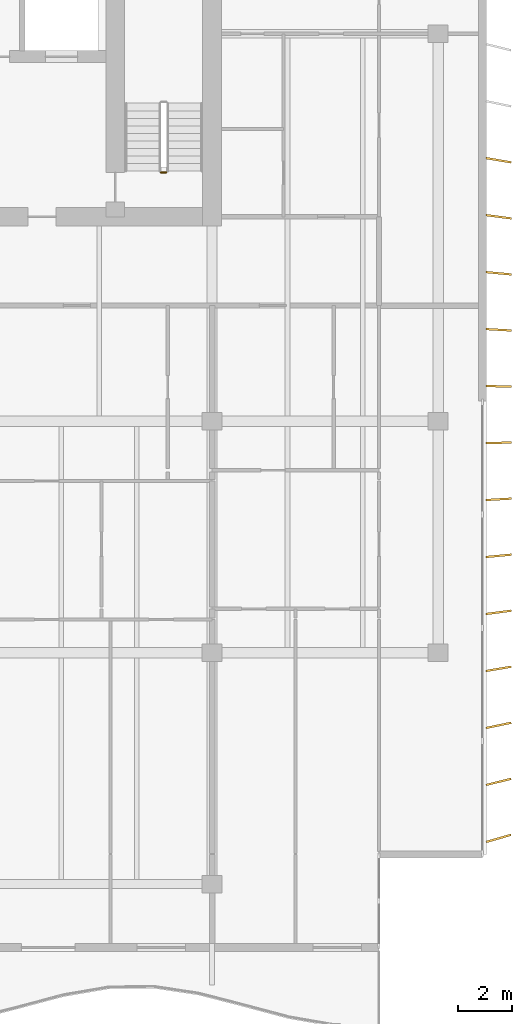
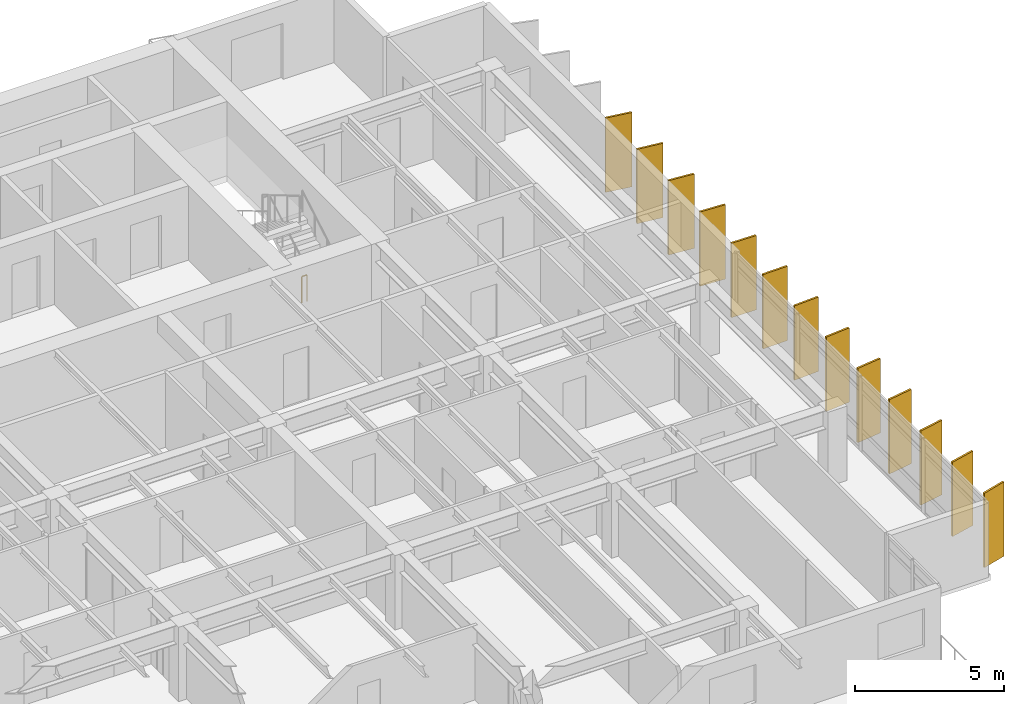
# One storey, part 15 of 17: 13 shading devices, 1 railing.
"""IFC4 building model written with IfcOpenShell, lengths in metres."""

from ifc_helpers import new_model, si_unit, direction, frame, origin, origin_2d, place, context, subcontext, project, spatial, rectangle, circle, extrude, material, material_profile, profile_set, type_object, element, save


model = new_model("IFC4")

# Units and contexts
model_context = context("Model", 3, precision=1e-05, world=origin(), true_north=direction((0.0, 1.0)))
body_context = subcontext(model_context, "Body", "Model", "MODEL_VIEW")
ifc_project = project(units=[si_unit("LENGTHUNIT", "METRE"), si_unit("AREAUNIT", "SQUARE_METRE"), si_unit("VOLUMEUNIT", "CUBIC_METRE"), si_unit("PLANEANGLEUNIT", "RADIAN"), si_unit("MASSUNIT", "GRAM", prefix="KILO")], contexts=[model_context])

# Site, building, storey
site_placement = place(None, origin())
site = spatial("IfcSite", under=ifc_project, at=site_placement, CompositionType="ELEMENT")
building_placement = place(site_placement, origin())
building = spatial("IfcBuilding", under=site, at=building_placement, Name="Caelmar Bay Residences", CompositionType="ELEMENT")
storey_placement = place(building_placement, frame((0.0, 0.0, 243.0)))
storey = spatial("IfcBuildingStorey", under=building, at=storey_placement, Name="L68", CompositionType="ELEMENT", Elevation=243.0)

# Railing
ifc_material_1 = material(Name="Painted galvanized steel stair guard 1100 mm", Category="steel")
railing_type = type_object("IfcRailingType", Name="RL-GRD-1100", PredefinedType="GUARDRAIL", material=ifc_material_1)
railing_placement = place(storey_placement, frame((57.800048828125, 38.64990234375, 0.0)))
element("IfcRailing", 1, at=railing_placement, inside=storey, type_object=railing_type, Name="L68 ST2 stair guard 4", PredefinedType="GUARDRAIL", context=body_context, shape_type="SweptSolid", body=[
    extrude(circle(Radius=0.02392578125, at=origin_2d()), frame((0.0, 0.0, 1.076171875), z_axis=(-1.0, 0.0, 0.0), x_axis=(0.0, -1.0, 0.0)), (0.0, 0.0, 1.0), 0.199951171875),
    extrude(circle(Radius=0.02099609375, at=origin_2d()), origin(), (0.0, 0.0, 1.0), 1.052001953125),
    extrude(circle(Radius=0.02099609375, at=origin_2d()), frame((-0.199951171875, 0.0, 0.0)), (0.0, 0.0, 1.0), 1.052001953125),
])

# Shading devices
ifc_material_2 = material(Name="Anodised architectural bronze aluminium 6063-T6", Category="aluminium")
ifc_material_profile = material_profile(ifc_material_2, rectangle(XDim=0.074951171875, YDim=0.949951171875, at=origin_2d()), Name="BRONZE-FIN-75X950")
ifc_profile_set = profile_set([ifc_material_profile], Name="Anodised architectural bronze aluminium 6063-T6")
shading_device_type = type_object("IfcShadingDeviceType", Name="SHD-FIN-950", PredefinedType="USERDEFINED", material=ifc_profile_set)
for number, where, z_axis, x_axis, name in (
    (2, (70.14990234375, 13.89990234375, 0.0), (0.0, 0.0, 1.0), (-0.275637355817, 0.961261695938, 0.0), "L68 East Bronze Solar Fin 1"),
    (3, (70.14990234375, 16.0, 0.0), (0.0, 0.0, 1.0), (-0.239719743609, 0.970842131618, 0.0), "L68 East Bronze Solar Fin 2"),
    (4, (70.14990234375, 18.10009765625, 0.0), (0.0, 0.0, 1.0), (-0.2032999874, 0.979116497217, 0.0), "L68 East Bronze Solar Fin 3"),
    (5, (70.14990234375, 20.199951171875, 0.0), (0.0, 0.0, 1.0), (-0.166768746716, 0.985996037071, 0.0), "L68 East Bronze Solar Fin 4"),
    (6, (70.14990234375, 22.300048828125, 0.0), (0.0, 0.0, 1.0), (-0.130007055036, 0.99151306882, 0.0), "L68 East Bronze Solar Fin 5"),
    (7, (70.14990234375, 24.39990234375, 0.0), (0.0, 0.0, 1.0), (-0.092891934994, 0.995676196569, 0.0), "L68 East Bronze Solar Fin 6"),
    (8, (70.14990234375, 26.5, 0.0), (0.0, 0.0, 1.0), (-0.055821504993, 0.998440764182, 0.0), "L68 East Bronze Solar Fin 7"),
    (9, (70.14990234375, 28.60009765625, 0.0), (0.0, 0.0, 1.0), (-0.018673937509, 0.999825626826, 0.0), "L68 East Bronze Solar Fin 8"),
    (10, (70.14990234375, 30.699951171875, 0.0), (0.0, 0.0, 1.0), (0.018673937509, 0.999825626826, 0.0), "L68 East Bronze Solar Fin 9"),
    (11, (70.14990234375, 32.800048828125, 0.0), (0.0, 0.0, 1.0), (0.055821504993, 0.998440764182, 0.0), "L68 East Bronze Solar Fin 10"),
    (12, (70.14990234375, 34.89990234375, 0.0), (0.0, 0.0, 1.0), (0.092891934994, 0.995676196569, 0.0), "L68 East Bronze Solar Fin 11"),
    (13, (70.14990234375, 37.0, 0.0), (0.0, 0.0, 1.0), (0.130007055036, 0.99151306882, 0.0), "L68 East Bronze Solar Fin 12"),
    (14, (70.14990234375, 39.10009765625, 0.0), (0.0, 0.0, 1.0), (0.166768746716, 0.985996037071, 0.0), "L68 East Bronze Solar Fin 13"),
):
    element("IfcShadingDevice", number, at=place(storey_placement, frame(where, z_axis=z_axis, x_axis=x_axis)), inside=storey, type_object=shading_device_type, Name=name, ObjectType="FIN", PredefinedType="USERDEFINED", context=body_context, shape_type="SweptSolid", body=[
        extrude(rectangle(XDim=0.074951171875, YDim=0.949951171875, at=origin_2d()), origin(), (0.0, 0.0, 1.0), 3.050048828125),
    ])

save(model, "model.ifc")
